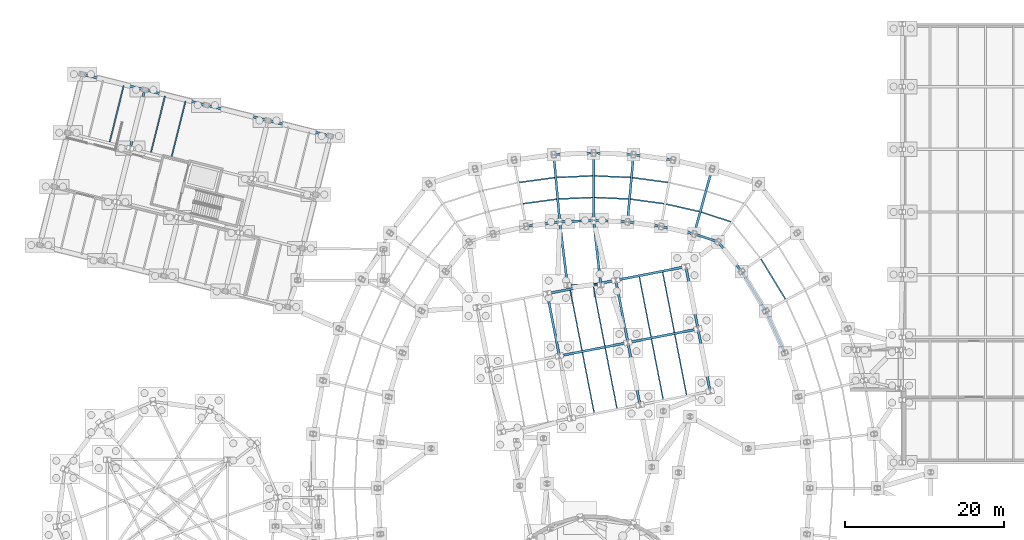
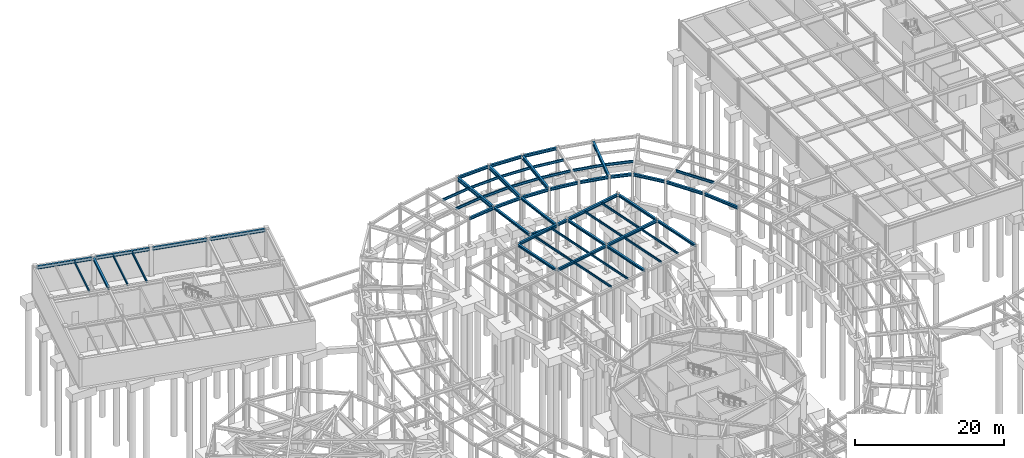
# One storey, part 34 of 50: 55 beams.
"""IFC4 building model written with IfcOpenShell, lengths in metres."""

from ifc_helpers import new_model, si_unit, direction, frame, origin, origin_2d, place, context, subcontext, project, spatial, i_section, extrude, material, material_profile, profile_set, type_object, element, save


model = new_model("IFC4")

# Units and contexts
model_context = context("Model", 3, precision=1e-05, world=origin(), true_north=direction((0.0, 1.0)))
body_context = subcontext(model_context, "Body", "Model", "MODEL_VIEW")
ifc_project = project(units=[si_unit("LENGTHUNIT", "METRE"), si_unit("AREAUNIT", "SQUARE_METRE"), si_unit("VOLUMEUNIT", "CUBIC_METRE"), si_unit("PLANEANGLEUNIT", "RADIAN"), si_unit("MASSUNIT", "GRAM", prefix="KILO")], contexts=[model_context])

# Site, building, storey
site_placement = place(None, origin())
site = spatial("IfcSite", under=ifc_project, at=site_placement, CompositionType="ELEMENT")
building_placement = place(site_placement, origin())
building = spatial("IfcBuilding", under=site, at=building_placement, Name="Varnklinge Art Gallery", CompositionType="ELEMENT")
storey_placement = place(building_placement, frame((0.0, 0.0, -4.800048828125)))
storey = spatial("IfcBuildingStorey", under=building, at=storey_placement, Name="B01", CompositionType="ELEMENT", Elevation=-4.800048828125)

# Beams
ifc_material_1 = material(Name="Steel S355", Category="steel")
ifc_material_profile_1 = material_profile(ifc_material_1, i_section(OverallWidth=0.300048828125, OverallDepth=0.590087890625, WebThickness=0.012939453125, FlangeThickness=0.02490234375, FilletRadius=0.027099609375, at=origin_2d()), Name="HEA 600")
ifc_profile_set_1 = profile_set([ifc_material_profile_1], Name="Steel S355")
beam_type_1 = type_object("IfcBeamType", Name="BM-06", PredefinedType="BEAM", material=ifc_profile_set_1)
for number, where, z_axis, x_axis, name in (
    (1, (90.392578125, 95.102294921875, 4.255126953125), (-0.26537851046, -0.96414430776, 0.0), (0.96414430776, -0.26537851046, 0.0), "B01 BM-06 BM-V2-L00-R14"),
    (2, (80.517822265625, 96.889892578125, 4.255126953125), (-0.089446998225, -0.995991583553, 0.0), (0.995991583553, -0.089446998225, 0.0), "B01 BM-06 BM-V2-L00-R16"),
):
    element("IfcBeam", number, at=place(storey_placement, frame(where, z_axis=z_axis, x_axis=x_axis)), inside=storey, type_object=beam_type_1, Name=name, PredefinedType="BEAM", context=body_context, shape_type="SweptSolid", body=[
        extrude(i_section(OverallWidth=0.300048828125, OverallDepth=0.590087890625, WebThickness=0.012939453125, FlangeThickness=0.02490234375, FilletRadius=0.027099609375, at=origin_2d()), origin(), (0.0, 0.0, 1.0), 8.229248046875),
    ])
beam_1_placement = place(storey_placement, frame((75.5, 97.114501953125, 4.255126953125), z_axis=(0.0, -1.0, 0.0), x_axis=(1.0, 0.0, 0.0)))
element("IfcBeam", 3, at=beam_1_placement, inside=storey, type_object=beam_type_1, Name="B01 BM-06 BM-V2-L00-R17", PredefinedType="BEAM", context=body_context, shape_type="SweptSolid", body=[
    extrude(i_section(OverallWidth=0.300048828125, OverallDepth=0.590087890625, WebThickness=0.012939453125, FlangeThickness=0.02490234375, FilletRadius=0.027099609375, at=origin_2d()), origin(), (0.0, 0.0, 1.0), 8.22900390625),
])
beam_2_placement = place(storey_placement, frame((70.482177734375, 96.889892578125, 4.255126953125), z_axis=(0.089446998225, -0.995991583553, 0.0), x_axis=(0.995991583553, 0.089446998225, 0.0)))
element("IfcBeam", 4, at=beam_2_placement, inside=storey, type_object=beam_type_1, Name="B01 BM-06 BM-V2-L00-R18", PredefinedType="BEAM", context=body_context, shape_type="SweptSolid", body=[
    extrude(i_section(OverallWidth=0.300048828125, OverallDepth=0.590087890625, WebThickness=0.012939453125, FlangeThickness=0.02490234375, FilletRadius=0.027099609375, at=origin_2d()), origin(), (0.0, 0.0, 1.0), 8.229248046875),
])
ifc_material_2 = material(Name="Steel S355", Category="steel")
ifc_material_profile_2 = material_profile(ifc_material_2, i_section(OverallWidth=0.300048828125, OverallDepth=0.489990234375, WebThickness=0.011962890625, FlangeThickness=0.02294921875, FilletRadius=0.027099609375, at=origin_2d()), Name="HEA 500")
ifc_profile_set_2 = profile_set([ifc_material_profile_2], Name="Steel S355")
beam_type_2 = type_object("IfcBeamType", Name="BM-07", PredefinedType="BEAM", material=ifc_profile_set_2)
beam_3_placement = place(storey_placement, frame((11.199462890625, 107.13134765625, 4.304931640625), z_axis=(0.970294736921, -0.241925863651, 0.0), x_axis=(0.241925863651, 0.970294736921, 0.0)))
element("IfcBeam", 5, at=beam_3_placement, inside=storey, type_object=beam_type_2, Name="B01 BM-07 BM-V5-L00-U3-0", PredefinedType="BEAM", context=body_context, shape_type="SweptSolid", body=[
    extrude(i_section(OverallWidth=0.300048828125, OverallDepth=0.489990234375, WebThickness=0.011962890625, FlangeThickness=0.02294921875, FilletRadius=0.027099609375, at=origin_2d()), origin(), (0.0, 0.0, 1.0), 7.81982421875),
])
beam_4_placement = place(storey_placement, frame((19.058837890625, 105.171875, 4.304931640625), z_axis=(0.970294848706, -0.241925415312, 0.0), x_axis=(0.241925415312, 0.970294848706, 0.0)))
element("IfcBeam", 6, at=beam_4_placement, inside=storey, type_object=beam_type_2, Name="B01 BM-07 BM-V5-L00-U3-1", PredefinedType="BEAM", context=body_context, shape_type="SweptSolid", body=[
    extrude(i_section(OverallWidth=0.300048828125, OverallDepth=0.489990234375, WebThickness=0.011962890625, FlangeThickness=0.02294921875, FilletRadius=0.027099609375, at=origin_2d()), origin(), (0.0, 0.0, 1.0), 7.719970703125),
])
beam_5_placement = place(storey_placement, frame((26.821044921875, 103.236328125, 4.304931640625), z_axis=(0.970304122122, -0.241888219213, 0.0), x_axis=(0.241888219213, 0.970304122122, 0.0)))
element("IfcBeam", 7, at=beam_5_placement, inside=storey, type_object=beam_type_2, Name="B01 BM-07 BM-V5-L00-U3-2", PredefinedType="BEAM", context=body_context, shape_type="SweptSolid", body=[
    extrude(i_section(OverallWidth=0.300048828125, OverallDepth=0.489990234375, WebThickness=0.011962890625, FlangeThickness=0.02294921875, FilletRadius=0.027099609375, at=origin_2d()), origin(), (0.0, 0.0, 1.0), 7.72021484375),
])
beam_6_placement = place(storey_placement, frame((34.58349609375, 101.301025390625, 4.304931640625), z_axis=(0.970296564102, -0.241918535239, 0.0), x_axis=(0.241918535239, 0.970296564102, 0.0)))
element("IfcBeam", 8, at=beam_6_placement, inside=storey, type_object=beam_type_2, Name="B01 BM-07 BM-V5-L00-U3-3", PredefinedType="BEAM", context=body_context, shape_type="SweptSolid", body=[
    extrude(i_section(OverallWidth=0.300048828125, OverallDepth=0.489990234375, WebThickness=0.011962890625, FlangeThickness=0.02294921875, FilletRadius=0.027099609375, at=origin_2d()), origin(), (0.0, 0.0, 1.0), 7.820068359375),
])
ifc_material_3 = material(Name="Steel S355", Category="steel")
ifc_material_profile_3 = material_profile(ifc_material_3, i_section(OverallWidth=0.300048828125, OverallDepth=0.43994140625, WebThickness=0.011474609375, FlangeThickness=0.02099609375, FilletRadius=0.027099609375, at=origin_2d()), Name="HEA 450")
ifc_profile_set_3 = profile_set([ifc_material_profile_3], Name="Steel S355")
beam_type_3 = type_object("IfcBeamType", Name="BM-08", PredefinedType="BEAM", material=ifc_profile_set_3)
beam_7_placement = place(storey_placement, frame((99.533447265625, 72.18212890625, 4.330078125), z_axis=(-0.413397065821, 0.910550858531, 0.0), x_axis=(-0.910550858531, -0.413397065821, 0.0)))
element("IfcBeam", 9, at=beam_7_placement, inside=storey, type_object=beam_type_3, Name="B01 BM-08 BM-V2-L00-I10", PredefinedType="BEAM", context=body_context, shape_type="SweptSolid", body=[
    extrude(i_section(OverallWidth=0.300048828125, OverallDepth=0.43994140625, WebThickness=0.011474609375, FlangeThickness=0.02099609375, FilletRadius=0.027099609375, at=origin_2d()), origin(), (0.0, 0.0, 1.0), 5.529541015625),
])
beam_8_placement = place(storey_placement, frame((97.11669921875, 77.464111328125, 4.330078125), z_axis=(-0.520928443414, 0.853600349603, 0.0), x_axis=(-0.853600349603, -0.520928443414, 0.0)))
element("IfcBeam", 10, at=beam_8_placement, inside=storey, type_object=beam_type_3, Name="B01 BM-08 BM-V2-L00-I11", PredefinedType="BEAM", context=body_context, shape_type="SweptSolid", body=[
    extrude(i_section(OverallWidth=0.300048828125, OverallDepth=0.43994140625, WebThickness=0.011474609375, FlangeThickness=0.02099609375, FilletRadius=0.027099609375, at=origin_2d()), origin(), (0.0, 0.0, 1.0), 5.52978515625),
])
beam_9_placement = place(storey_placement, frame((94.075927734375, 82.413330078125, 4.330078125), z_axis=(-0.623138348458, 0.782111628018, 0.0), x_axis=(-0.782111628018, -0.623138348458, 0.0)))
element("IfcBeam", 11, at=beam_9_placement, inside=storey, type_object=beam_type_3, Name="B01 BM-08 BM-V2-L00-I12", PredefinedType="BEAM", context=body_context, shape_type="SweptSolid", body=[
    extrude(i_section(OverallWidth=0.300048828125, OverallDepth=0.43994140625, WebThickness=0.011474609375, FlangeThickness=0.02099609375, FilletRadius=0.027099609375, at=origin_2d()), origin(), (0.0, 0.0, 1.0), 4.498046875),
])
beam_10_placement = place(storey_placement, frame((91.052734375, 86.084716796875, 4.330078125), z_axis=(-0.94984963517, 0.312707004347, 0.0), x_axis=(-0.312707004347, -0.94984963517, 0.0)))
element("IfcBeam", 12, at=beam_10_placement, inside=storey, type_object=beam_type_3, Name="B01 BM-08 BM-V2-L00-I13", PredefinedType="BEAM", context=body_context, shape_type="SweptSolid", body=[
    extrude(i_section(OverallWidth=0.300048828125, OverallDepth=0.43994140625, WebThickness=0.011474609375, FlangeThickness=0.02099609375, FilletRadius=0.027099609375, at=origin_2d()), origin(), (0.0, 0.0, 1.0), 2.893310546875),
])
beam_11_placement = place(storey_placement, frame((88.034912109375, 87.064208984375, 4.330078125), z_axis=(-0.975053526144, 0.221969865419, 0.0), x_axis=(-0.221969865419, -0.975053526144, 0.0)))
element("IfcBeam", 13, at=beam_11_placement, inside=storey, type_object=beam_type_3, Name="B01 BM-08 BM-V2-L00-I14", PredefinedType="BEAM", context=body_context, shape_type="SweptSolid", body=[
    extrude(i_section(OverallWidth=0.300048828125, OverallDepth=0.43994140625, WebThickness=0.011474609375, FlangeThickness=0.02099609375, FilletRadius=0.027099609375, at=origin_2d()), origin(), (0.0, 0.0, 1.0), 3.99365234375),
])
beam_12_placement = place(storey_placement, frame((85.381591796875, 96.373779296875, 4.330078125), z_axis=(-0.990995928782, 0.133892005505, 0.0), x_axis=(-0.133892005505, -0.990995928782, 0.0)))
element("IfcBeam", 14, at=beam_12_placement, inside=storey, type_object=beam_type_3, Name="B01 BM-08 BM-V2-L00-O15", PredefinedType="BEAM", context=body_context, shape_type="SweptSolid", body=[
    extrude(i_section(OverallWidth=0.300048828125, OverallDepth=0.43994140625, WebThickness=0.011474609375, FlangeThickness=0.02099609375, FilletRadius=0.027099609375, at=origin_2d()), origin(), (0.0, 0.0, 1.0), 4.75537109375),
])
beam_13_placement = place(storey_placement, frame((83.86572265625, 88.00048828125, 4.330078125), z_axis=(-0.990989799055, 0.133937366586, 0.0), x_axis=(-0.133937366586, -0.990989799055, 0.0)))
element("IfcBeam", 15, at=beam_13_placement, inside=storey, type_object=beam_type_3, Name="B01 BM-08 BM-V2-L00-I15", PredefinedType="BEAM", context=body_context, shape_type="SweptSolid", body=[
    extrude(i_section(OverallWidth=0.300048828125, OverallDepth=0.43994140625, WebThickness=0.011474609375, FlangeThickness=0.02099609375, FilletRadius=0.027099609375, at=origin_2d()), origin(), (0.0, 0.0, 1.0), 3.99365234375),
])
beam_14_placement = place(storey_placement, frame((80.390380859375, 97.03564453125, 4.330078125), z_axis=(-0.998999636454, 0.0447183001, 0.0), x_axis=(-0.0447183001, -0.998999636454, 0.0)))
element("IfcBeam", 16, at=beam_14_placement, inside=storey, type_object=beam_type_3, Name="B01 BM-08 BM-V2-L00-O16", PredefinedType="BEAM", context=body_context, shape_type="SweptSolid", body=[
    extrude(i_section(OverallWidth=0.300048828125, OverallDepth=0.43994140625, WebThickness=0.011474609375, FlangeThickness=0.02099609375, FilletRadius=0.027099609375, at=origin_2d()), origin(), (0.0, 0.0, 1.0), 4.755126953125),
])
beam_15_placement = place(storey_placement, frame((79.62939453125, 88.560302734375, 4.330078125), z_axis=(-0.998998197966, 0.044750424142, 0.0), x_axis=(-0.044750424142, -0.998998197966, 0.0)))
element("IfcBeam", 17, at=beam_15_placement, inside=storey, type_object=beam_type_3, Name="B01 BM-08 BM-V2-L00-I16", PredefinedType="BEAM", context=body_context, shape_type="SweptSolid", body=[
    extrude(i_section(OverallWidth=0.300048828125, OverallDepth=0.43994140625, WebThickness=0.011474609375, FlangeThickness=0.02099609375, FilletRadius=0.027099609375, at=origin_2d()), origin(), (0.0, 0.0, 1.0), 3.993408203125),
])
beam_16_placement = place(storey_placement, frame((75.360107421875, 97.248291015625, 4.330078125), z_axis=(-0.998999636454, -0.0447183001, 0.0), x_axis=(0.0447183001, -0.998999636454, 0.0)))
element("IfcBeam", 18, at=beam_16_placement, inside=storey, type_object=beam_type_3, Name="B01 BM-08 BM-V2-L00-O17", PredefinedType="BEAM", context=body_context, shape_type="SweptSolid", body=[
    extrude(i_section(OverallWidth=0.300048828125, OverallDepth=0.43994140625, WebThickness=0.011474609375, FlangeThickness=0.02099609375, FilletRadius=0.027099609375, at=origin_2d()), origin(), (0.0, 0.0, 1.0), 4.755126953125),
])
beam_17_placement = place(storey_placement, frame((75.360107421875, 88.739013671875, 4.330078125), z_axis=(-0.998998197966, -0.044750424142, 0.0), x_axis=(0.044750424142, -0.998998197966, 0.0)))
element("IfcBeam", 19, at=beam_17_placement, inside=storey, type_object=beam_type_3, Name="B01 BM-08 BM-V2-L00-I17", PredefinedType="BEAM", context=body_context, shape_type="SweptSolid", body=[
    extrude(i_section(OverallWidth=0.300048828125, OverallDepth=0.43994140625, WebThickness=0.011474609375, FlangeThickness=0.02099609375, FilletRadius=0.027099609375, at=origin_2d()), origin(), (0.0, 0.0, 1.0), 3.993408203125),
])
beam_18_placement = place(storey_placement, frame((71.092041015625, 88.535400390625, 4.330078125), z_axis=(-0.990989799055, -0.133937366586, 0.0), x_axis=(0.133937366586, -0.990989799055, 0.0)))
element("IfcBeam", 20, at=beam_18_placement, inside=storey, type_object=beam_type_3, Name="B01 BM-08 BM-V2-L00-I18", PredefinedType="BEAM", context=body_context, shape_type="SweptSolid", body=[
    extrude(i_section(OverallWidth=0.300048828125, OverallDepth=0.43994140625, WebThickness=0.011474609375, FlangeThickness=0.02099609375, FilletRadius=0.027099609375, at=origin_2d()), origin(), (0.0, 0.0, 1.0), 3.99365234375),
])
beam_19_placement = place(storey_placement, frame((71.318115234375, 71.68701171875, 4.330078125), z_axis=(0.981622248906, 0.19083437964, 0.0), x_axis=(-0.19083437964, 0.981622248906, 0.0)))
element("IfcBeam", 21, at=beam_19_placement, inside=storey, type_object=beam_type_3, Name="B01 BM-08 BM-V4B-L00-U1-1", PredefinedType="BEAM", context=body_context, shape_type="SweptSolid", body=[
    extrude(i_section(OverallWidth=0.300048828125, OverallDepth=0.43994140625, WebThickness=0.011474609375, FlangeThickness=0.02099609375, FilletRadius=0.027099609375, at=origin_2d()), origin(), (0.0, 0.0, 1.0), 8.520263671875),
])
beam_20_placement = place(storey_placement, frame((79.95654296875, 73.3662109375, 4.330078125), z_axis=(0.981628064538, 0.190804462503, 0.0), x_axis=(-0.190804462503, 0.981628064538, 0.0)))
element("IfcBeam", 22, at=beam_20_placement, inside=storey, type_object=beam_type_3, Name="B01 BM-08 BM-V4B-L00-U1-2", PredefinedType="BEAM", context=body_context, shape_type="SweptSolid", body=[
    extrude(i_section(OverallWidth=0.300048828125, OverallDepth=0.43994140625, WebThickness=0.011474609375, FlangeThickness=0.02099609375, FilletRadius=0.027099609375, at=origin_2d()), origin(), (0.0, 0.0, 1.0), 8.719970703125),
])
beam_21_placement = place(storey_placement, frame((69.791748046875, 79.540283203125, 4.330078125), z_axis=(0.981626572932, 0.190812136181, 0.0), x_axis=(-0.190812136181, 0.981626572932, 0.0)))
element("IfcBeam", 23, at=beam_21_placement, inside=storey, type_object=beam_type_3, Name="B01 BM-08 BM-V4B-L00-U2-1", PredefinedType="BEAM", context=body_context, shape_type="SweptSolid", body=[
    extrude(i_section(OverallWidth=0.300048828125, OverallDepth=0.43994140625, WebThickness=0.011474609375, FlangeThickness=0.02099609375, FilletRadius=0.027099609375, at=origin_2d()), origin(), (0.0, 0.0, 1.0), 8.52001953125),
])
beam_22_placement = place(storey_placement, frame((78.43017578125, 81.21923828125, 4.330078125), z_axis=(0.98162282025, 0.190831440713, 0.0), x_axis=(-0.190831440713, 0.98162282025, 0.0)))
element("IfcBeam", 24, at=beam_22_placement, inside=storey, type_object=beam_type_3, Name="B01 BM-08 BM-V4B-L00-U2-2", PredefinedType="BEAM", context=body_context, shape_type="SweptSolid", body=[
    extrude(i_section(OverallWidth=0.300048828125, OverallDepth=0.43994140625, WebThickness=0.011474609375, FlangeThickness=0.02099609375, FilletRadius=0.027099609375, at=origin_2d()), origin(), (0.0, 0.0, 1.0), 8.719970703125),
])
beam_23_placement = place(storey_placement, frame((17.118408203125, 97.96728515625, 4.330078125), z_axis=(0.241907757102, 0.97029925129, 0.0), x_axis=(-0.97029925129, 0.241907757102, 0.0)))
element("IfcBeam", 25, at=beam_23_placement, inside=storey, type_object=beam_type_3, Name="B01 BM-08 BM-V5-L00-V1-2", PredefinedType="BEAM", context=body_context, shape_type="SweptSolid", body=[
    extrude(i_section(OverallWidth=0.300048828125, OverallDepth=0.43994140625, WebThickness=0.011474609375, FlangeThickness=0.02099609375, FilletRadius=0.027099609375, at=origin_2d()), origin(), (0.0, 0.0, 1.0), 7.320068359375),
])
ifc_material_4 = material(Name="Steel S355", Category="steel")
ifc_material_profile_4 = material_profile(ifc_material_4, i_section(OverallWidth=0.300048828125, OverallDepth=0.389892578125, WebThickness=0.010986328125, FlangeThickness=0.01904296875, FilletRadius=0.027099609375, at=origin_2d()), Name="HEA 400")
ifc_profile_set_4 = profile_set([ifc_material_profile_4], Name="Steel S355")
beam_type_4 = type_object("IfcBeamType", Name="BM-09", PredefinedType="BEAM", material=ifc_profile_set_4)
for number, where, z_axis, x_axis, name in (
    (26, (71.154052734375, 71.7978515625, 4.35498046875), (-0.190785861445, 0.981631679946, 0.0), (-0.981631679946, -0.190785861445, 0.0), "B01 BM-09 BM-V4B-L00-V1-1"),
    (27, (81.31884765625, 65.623779296875, 4.35498046875), (-0.190785861445, 0.981631679946, 0.0), (-0.981631679946, -0.190785861445, 0.0), "B01 BM-09 BM-V4B-L00-V2-0"),
):
    element("IfcBeam", number, at=place(storey_placement, frame(where, z_axis=z_axis, x_axis=x_axis)), inside=storey, type_object=beam_type_4, Name=name, PredefinedType="BEAM", context=body_context, shape_type="SweptSolid", body=[
        extrude(i_section(OverallWidth=0.300048828125, OverallDepth=0.389892578125, WebThickness=0.010986328125, FlangeThickness=0.01904296875, FilletRadius=0.027099609375, at=origin_2d()), origin(), (0.0, 0.0, 1.0), 7.72021484375),
    ])
for number, where, z_axis, x_axis, name in (
    (28, (79.79248046875, 73.47705078125, 4.35498046875), (-0.190822257393, 0.98162460548, 0.0), (-0.98162460548, -0.190822257393, 0.0), "B01 BM-09 BM-V4B-L00-V2-1"),
    (29, (90.153564453125, 67.34130859375, 4.35498046875), (-0.190822257393, 0.98162460548, 0.0), (-0.98162460548, -0.190822257393, 0.0), "B01 BM-09 BM-V4B-L00-V3-0"),
):
    element("IfcBeam", number, at=place(storey_placement, frame(where, z_axis=z_axis, x_axis=x_axis)), inside=storey, type_object=beam_type_4, Name=name, PredefinedType="BEAM", context=body_context, shape_type="SweptSolid", body=[
        extrude(i_section(OverallWidth=0.300048828125, OverallDepth=0.389892578125, WebThickness=0.010986328125, FlangeThickness=0.01904296875, FilletRadius=0.027099609375, at=origin_2d()), origin(), (0.0, 0.0, 1.0), 7.719970703125),
    ])
beam_24_placement = place(storey_placement, frame((88.627197265625, 75.194091796875, 4.35498046875), z_axis=(-0.190816333803, 0.981625756974, 0.0), x_axis=(-0.981625756974, -0.190816333803, 0.0)))
element("IfcBeam", 30, at=beam_24_placement, inside=storey, type_object=beam_type_4, Name="B01 BM-09 BM-V4B-L00-V3-1", PredefinedType="BEAM", context=body_context, shape_type="SweptSolid", body=[
    extrude(i_section(OverallWidth=0.300048828125, OverallDepth=0.389892578125, WebThickness=0.010986328125, FlangeThickness=0.01904296875, FilletRadius=0.027099609375, at=origin_2d()), origin(), (0.0, 0.0, 1.0), 7.72021484375),
])
beam_25_placement = place(storey_placement, frame((72.260009765625, 80.60009765625, 4.35498046875), z_axis=(1.0, 0.0, 0.0), x_axis=(0.0, 1.0, 0.0)))
element("IfcBeam", 31, at=beam_25_placement, inside=storey, type_object=beam_type_4, Name="B01 BM-09 BM-LNK-V4N-L00-1", PredefinedType="BEAM", context=body_context, shape_type="SweptSolid", body=[
    extrude(i_section(OverallWidth=0.300048828125, OverallDepth=0.389892578125, WebThickness=0.010986328125, FlangeThickness=0.01904296875, FilletRadius=0.027099609375, at=origin_2d()), origin(), (0.0, 0.0, 1.0), 4.080078125),
])
beam_26_placement = place(storey_placement, frame((76.393310546875, 80.65966796875, 4.35498046875), z_axis=(-0.109810964055, 0.993952489897, 0.0), x_axis=(-0.993952489897, -0.109810964055, 0.0)))
element("IfcBeam", 32, at=beam_26_placement, inside=storey, type_object=beam_type_4, Name="B01 BM-09 BM-LNK-V4N-L00-2", PredefinedType="BEAM", context=body_context, shape_type="SweptSolid", body=[
    extrude(i_section(OverallWidth=0.300048828125, OverallDepth=0.389892578125, WebThickness=0.010986328125, FlangeThickness=0.01904296875, FilletRadius=0.027099609375, at=origin_2d()), origin(), (0.0, 0.0, 1.0), 8.074951171875),
])
beam_27_placement = place(storey_placement, frame((71.238037109375, 88.494384765625, 4.35498046875), z_axis=(0.120946581817, -0.992659017159, 0.0), x_axis=(0.992659017159, 0.120946581817, 0.0)))
element("IfcBeam", 33, at=beam_27_placement, inside=storey, type_object=beam_type_4, Name="B01 BM-09 BM-LNK-V4N-L00-4", PredefinedType="BEAM", context=body_context, shape_type="SweptSolid", body=[
    extrude(i_section(OverallWidth=0.300048828125, OverallDepth=0.389892578125, WebThickness=0.010986328125, FlangeThickness=0.01904296875, FilletRadius=0.027099609375, at=origin_2d()), origin(), (0.0, 0.0, 1.0), 7.892578125),
])
ifc_material_5 = material(Name="Steel S355", Category="steel")
ifc_material_profile_5 = material_profile(ifc_material_5, i_section(OverallWidth=0.179931640625, OverallDepth=0.39990234375, WebThickness=0.008544921875, FlangeThickness=0.013427734375, FilletRadius=0.02099609375, at=origin_2d()), Name="IPE 400")
ifc_profile_set_5 = profile_set([ifc_material_profile_5], Name="Steel S355")
beam_type_5 = type_object("IfcBeamType", Name="JST-05", PredefinedType="JOIST", material=ifc_profile_set_5)
beam_28_placement = place(storey_placement, frame((99.67578125, 78.819580078125, 4.35009765625), z_axis=(-0.520951279717, 0.853586412826, 0.0), x_axis=(-0.853586412826, -0.520951279717, 0.0)))
element("IfcBeam", 34, at=beam_28_placement, inside=storey, type_object=beam_type_5, Name="B01 JST-05 JST-V2-L00-11-2", PredefinedType="JOIST", context=body_context, shape_type="SweptSolid", body=[
    extrude(i_section(OverallWidth=0.179931640625, OverallDepth=0.39990234375, WebThickness=0.008544921875, FlangeThickness=0.013427734375, FilletRadius=0.02099609375, at=origin_2d()), origin(), (0.0, 0.0, 1.0), 5.8818359375),
])
beam_29_placement = place(storey_placement, frame((92.781494140625, 88.57275390625, 4.35009765625), z_axis=(-0.950949393045, 0.309346491603, 0.0), x_axis=(-0.309346491603, -0.950949393045, 0.0)))
element("IfcBeam", 35, at=beam_29_placement, inside=storey, type_object=beam_type_5, Name="B01 JST-05 JST-V2-L00-13-2", PredefinedType="JOIST", context=body_context, shape_type="SweptSolid", body=[
    extrude(i_section(OverallWidth=0.179931640625, OverallDepth=0.39990234375, WebThickness=0.008544921875, FlangeThickness=0.013427734375, FilletRadius=0.02099609375, at=origin_2d()), origin(), (0.0, 0.0, 1.0), 3.900390625),
])
beam_30_placement = place(storey_placement, frame((88.802734375, 89.853759765625, 4.35009765625), z_axis=(-0.975058358995, 0.221948634943, 0.0), x_axis=(-0.221948634943, -0.975058358995, 0.0)))
element("IfcBeam", 36, at=beam_30_placement, inside=storey, type_object=beam_type_5, Name="B01 JST-05 JST-V2-L00-14-2", PredefinedType="JOIST", context=body_context, shape_type="SweptSolid", body=[
    extrude(i_section(OverallWidth=0.179931640625, OverallDepth=0.39990234375, WebThickness=0.008544921875, FlangeThickness=0.013427734375, FilletRadius=0.02099609375, at=origin_2d()), origin(), (0.0, 0.0, 1.0), 4.25244140625),
])
beam_31_placement = place(storey_placement, frame((84.8662109375, 93.52685546875, 4.35009765625), z_axis=(-0.990994962068, 0.1338991604, 0.0), x_axis=(-0.1338991604, -0.990994962068, 0.0)))
element("IfcBeam", 37, at=beam_31_placement, inside=storey, type_object=beam_type_5, Name="B01 JST-05 JST-V2-L00-15-1", PredefinedType="JOIST", context=body_context, shape_type="SweptSolid", body=[
    extrude(i_section(OverallWidth=0.179931640625, OverallDepth=0.39990234375, WebThickness=0.008544921875, FlangeThickness=0.013427734375, FilletRadius=0.02099609375, at=origin_2d()), origin(), (0.0, 0.0, 1.0), 4.496337890625),
])
beam_32_placement = place(storey_placement, frame((84.381103515625, 90.847412109375, 4.35009765625), z_axis=(-0.990990165217, 0.133934657366, 0.0), x_axis=(-0.133934657366, -0.990990165217, 0.0)))
element("IfcBeam", 38, at=beam_32_placement, inside=storey, type_object=beam_type_5, Name="B01 JST-05 JST-V2-L00-15-2", PredefinedType="JOIST", context=body_context, shape_type="SweptSolid", body=[
    extrude(i_section(OverallWidth=0.179931640625, OverallDepth=0.39990234375, WebThickness=0.008544921875, FlangeThickness=0.013427734375, FilletRadius=0.02099609375, at=origin_2d()), origin(), (0.0, 0.0, 1.0), 4.252685546875),
])
beam_33_placement = place(storey_placement, frame((80.131591796875, 94.154052734375, 4.35009765625), z_axis=(-0.998998547329, 0.044742624361, 0.0), x_axis=(-0.044742624361, -0.998998547329, 0.0)))
element("IfcBeam", 39, at=beam_33_placement, inside=storey, type_object=beam_type_5, Name="B01 JST-05 JST-V2-L00-16-1", PredefinedType="JOIST", context=body_context, shape_type="SweptSolid", body=[
    extrude(i_section(OverallWidth=0.179931640625, OverallDepth=0.39990234375, WebThickness=0.008544921875, FlangeThickness=0.013427734375, FilletRadius=0.02099609375, at=origin_2d()), origin(), (0.0, 0.0, 1.0), 4.49609375),
])
beam_34_placement = place(storey_placement, frame((79.88818359375, 91.44189453125, 4.35009765625), z_axis=(-0.998996870661, 0.044780044774, 0.0), x_axis=(-0.044780044774, -0.998996870661, 0.0)))
element("IfcBeam", 40, at=beam_34_placement, inside=storey, type_object=beam_type_5, Name="B01 JST-05 JST-V2-L00-16-2", PredefinedType="JOIST", context=body_context, shape_type="SweptSolid", body=[
    extrude(i_section(OverallWidth=0.179931640625, OverallDepth=0.39990234375, WebThickness=0.008544921875, FlangeThickness=0.013427734375, FilletRadius=0.02099609375, at=origin_2d()), origin(), (0.0, 0.0, 1.0), 4.25244140625),
])
beam_35_placement = place(storey_placement, frame((75.360107421875, 94.355224609375, 4.35009765625), z_axis=(-0.998998547329, -0.044742624361, 0.0), x_axis=(0.044742624361, -0.998998547329, 0.0)))
element("IfcBeam", 41, at=beam_35_placement, inside=storey, type_object=beam_type_5, Name="B01 JST-05 JST-V2-L00-17-1", PredefinedType="JOIST", context=body_context, shape_type="SweptSolid", body=[
    extrude(i_section(OverallWidth=0.179931640625, OverallDepth=0.39990234375, WebThickness=0.008544921875, FlangeThickness=0.013427734375, FilletRadius=0.02099609375, at=origin_2d()), origin(), (0.0, 0.0, 1.0), 4.49609375),
])
beam_36_placement = place(storey_placement, frame((75.360107421875, 91.63232421875, 4.35009765625), z_axis=(-0.998996870661, -0.044780044774, 0.0), x_axis=(0.044780044774, -0.998996870661, 0.0)))
element("IfcBeam", 42, at=beam_36_placement, inside=storey, type_object=beam_type_5, Name="B01 JST-05 JST-V2-L00-17-2", PredefinedType="JOIST", context=body_context, shape_type="SweptSolid", body=[
    extrude(i_section(OverallWidth=0.179931640625, OverallDepth=0.39990234375, WebThickness=0.008544921875, FlangeThickness=0.013427734375, FilletRadius=0.02099609375, at=origin_2d()), origin(), (0.0, 0.0, 1.0), 4.25244140625),
])
beam_37_placement = place(storey_placement, frame((70.589599609375, 94.12890625, 4.35009765625), z_axis=(-0.990994962068, -0.1338991604, 0.0), x_axis=(0.1338991604, -0.990994962068, 0.0)))
element("IfcBeam", 43, at=beam_37_placement, inside=storey, type_object=beam_type_5, Name="B01 JST-05 JST-V2-L00-18-1", PredefinedType="JOIST", context=body_context, shape_type="SweptSolid", body=[
    extrude(i_section(OverallWidth=0.179931640625, OverallDepth=0.39990234375, WebThickness=0.008544921875, FlangeThickness=0.013427734375, FilletRadius=0.02099609375, at=origin_2d()), origin(), (0.0, 0.0, 1.0), 4.496337890625),
])
beam_38_placement = place(storey_placement, frame((70.833251953125, 91.4169921875, 4.35009765625), z_axis=(-0.990990165217, -0.133934657366, 0.0), x_axis=(0.133934657366, -0.990990165217, 0.0)))
element("IfcBeam", 44, at=beam_38_placement, inside=storey, type_object=beam_type_5, Name="B01 JST-05 JST-V2-L00-18-2", PredefinedType="JOIST", context=body_context, shape_type="SweptSolid", body=[
    extrude(i_section(OverallWidth=0.179931640625, OverallDepth=0.39990234375, WebThickness=0.008544921875, FlangeThickness=0.013427734375, FilletRadius=0.02099609375, at=origin_2d()), origin(), (0.0, 0.0, 1.0), 4.252685546875),
])
ifc_material_6 = material(Name="Steel S355", Category="steel")
ifc_material_profile_6 = material_profile(ifc_material_6, i_section(OverallWidth=0.169921875, OverallDepth=0.360107421875, WebThickness=0.008056640625, FlangeThickness=0.0126953125, FilletRadius=0.01806640625, at=origin_2d()), Name="IPE 360")
ifc_profile_set_6 = profile_set([ifc_material_profile_6], Name="Steel S355")
beam_type_6 = type_object("IfcBeamType", Name="JST-06", PredefinedType="JOIST", material=ifc_profile_set_6)
for number, where, z_axis, x_axis, name in (
    (45, (14.49853515625, 98.620361328125, 4.3701171875), (0.241907757102, 0.97029925129, 0.0), (-0.97029925129, 0.241907757102, 0.0), "B01 JST-06 JST-V5-L00-0-2-2"),
    (46, (19.705810546875, 97.322021484375, 4.3701171875), (0.241899928684, 0.970301202979, 0.0), (-0.970301202979, 0.241899928684, 0.0), "B01 JST-06 JST-V5-L00-1-2-1"),
    (47, (22.293212890625, 96.677001953125, 4.3701171875), (0.241907757102, 0.97029925129, 0.0), (-0.97029925129, 0.241907757102, 0.0), "B01 JST-06 JST-V5-L00-1-2-2"),
):
    element("IfcBeam", number, at=place(storey_placement, frame(where, z_axis=z_axis, x_axis=x_axis)), inside=storey, type_object=beam_type_6, Name=name, PredefinedType="JOIST", context=body_context, shape_type="SweptSolid", body=[
        extrude(i_section(OverallWidth=0.169921875, OverallDepth=0.360107421875, WebThickness=0.008056640625, FlangeThickness=0.0126953125, FilletRadius=0.01806640625, at=origin_2d()), origin(), (0.0, 0.0, 1.0), 7.320068359375),
    ])
ifc_material_7 = material(Name="Steel S355", Category="steel")
ifc_material_profile_7 = material_profile(ifc_material_7, i_section(OverallWidth=0.159912109375, OverallDepth=0.330078125, WebThickness=0.007568359375, FlangeThickness=0.011474609375, FilletRadius=0.01806640625, at=origin_2d()), Name="IPE 330")
ifc_profile_set_7 = profile_set([ifc_material_profile_7], Name="Steel S355")
beam_type_7 = type_object("IfcBeamType", Name="JST-07", PredefinedType="JOIST", material=ifc_profile_set_7)
beam_39_placement = place(storey_placement, frame((75.56005859375, 64.50439453125, 4.385009765625), z_axis=(-0.190816333803, 0.981625756974, 0.0), x_axis=(-0.981625756974, -0.190816333803, 0.0)))
element("IfcBeam", 48, at=beam_39_placement, inside=storey, type_object=beam_type_7, Name="B01 JST-07 JST-V4B-L00-1-0-1", PredefinedType="JOIST", context=body_context, shape_type="SweptSolid", body=[
    extrude(i_section(OverallWidth=0.159912109375, OverallDepth=0.330078125, WebThickness=0.007568359375, FlangeThickness=0.011474609375, FilletRadius=0.01806640625, at=origin_2d()), origin(), (0.0, 0.0, 1.0), 7.72021484375),
])
for number, where, z_axis, x_axis, name in (
    (49, (78.439453125, 65.064208984375, 4.385009765625), (-0.190822257393, 0.98162460548, 0.0), (-0.98162460548, -0.190822257393, 0.0), "B01 JST-07 JST-V4B-L00-1-0-2"),
    (50, (74.03369140625, 72.357666015625, 4.385009765625), (-0.190822257393, 0.98162460548, 0.0), (-0.98162460548, -0.190822257393, 0.0), "B01 JST-07 JST-V4B-L00-1-1-1"),
):
    element("IfcBeam", number, at=place(storey_placement, frame(where, z_axis=z_axis, x_axis=x_axis)), inside=storey, type_object=beam_type_7, Name=name, PredefinedType="JOIST", context=body_context, shape_type="SweptSolid", body=[
        extrude(i_section(OverallWidth=0.159912109375, OverallDepth=0.330078125, WebThickness=0.007568359375, FlangeThickness=0.011474609375, FilletRadius=0.01806640625, at=origin_2d()), origin(), (0.0, 0.0, 1.0), 7.719970703125),
    ])
for number, where, z_axis, x_axis, name in (
    (51, (76.9130859375, 72.917236328125, 4.385009765625), (-0.190816333803, 0.981625756974, 0.0), (-0.981625756974, -0.190816333803, 0.0), "B01 JST-07 JST-V4B-L00-1-1-2"),
    (52, (84.263916015625, 66.1962890625, 4.385009765625), (-0.190816333803, 0.981625756974, 0.0), (-0.981625756974, -0.190816333803, 0.0), "B01 JST-07 JST-V4B-L00-2-0-1"),
):
    element("IfcBeam", number, at=place(storey_placement, frame(where, z_axis=z_axis, x_axis=x_axis)), inside=storey, type_object=beam_type_7, Name=name, PredefinedType="JOIST", context=body_context, shape_type="SweptSolid", body=[
        extrude(i_section(OverallWidth=0.159912109375, OverallDepth=0.330078125, WebThickness=0.007568359375, FlangeThickness=0.011474609375, FilletRadius=0.01806640625, at=origin_2d()), origin(), (0.0, 0.0, 1.0), 7.72021484375),
    ])
beam_40_placement = place(storey_placement, frame((87.208740234375, 66.768798828125, 4.385009765625), z_axis=(-0.190822257393, 0.98162460548, 0.0), x_axis=(-0.98162460548, -0.190822257393, 0.0)))
element("IfcBeam", 53, at=beam_40_placement, inside=storey, type_object=beam_type_7, Name="B01 JST-07 JST-V4B-L00-2-0-2", PredefinedType="JOIST", context=body_context, shape_type="SweptSolid", body=[
    extrude(i_section(OverallWidth=0.159912109375, OverallDepth=0.330078125, WebThickness=0.007568359375, FlangeThickness=0.011474609375, FilletRadius=0.01806640625, at=origin_2d()), origin(), (0.0, 0.0, 1.0), 7.719970703125),
])
beam_41_placement = place(storey_placement, frame((82.7373046875, 74.04931640625, 4.385009765625), z_axis=(-0.190785861445, 0.981631679946, 0.0), x_axis=(-0.981631679946, -0.190785861445, 0.0)))
element("IfcBeam", 54, at=beam_41_placement, inside=storey, type_object=beam_type_7, Name="B01 JST-07 JST-V4B-L00-2-1-1", PredefinedType="JOIST", context=body_context, shape_type="SweptSolid", body=[
    extrude(i_section(OverallWidth=0.159912109375, OverallDepth=0.330078125, WebThickness=0.007568359375, FlangeThickness=0.011474609375, FilletRadius=0.01806640625, at=origin_2d()), origin(), (0.0, 0.0, 1.0), 7.72021484375),
])
beam_42_placement = place(storey_placement, frame((85.68212890625, 74.621826171875, 4.385009765625), z_axis=(-0.190822257393, 0.98162460548, 0.0), x_axis=(-0.98162460548, -0.190822257393, 0.0)))
element("IfcBeam", 55, at=beam_42_placement, inside=storey, type_object=beam_type_7, Name="B01 JST-07 JST-V4B-L00-2-1-2", PredefinedType="JOIST", context=body_context, shape_type="SweptSolid", body=[
    extrude(i_section(OverallWidth=0.159912109375, OverallDepth=0.330078125, WebThickness=0.007568359375, FlangeThickness=0.011474609375, FilletRadius=0.01806640625, at=origin_2d()), origin(), (0.0, 0.0, 1.0), 7.719970703125),
])

save(model, "model.ifc")
